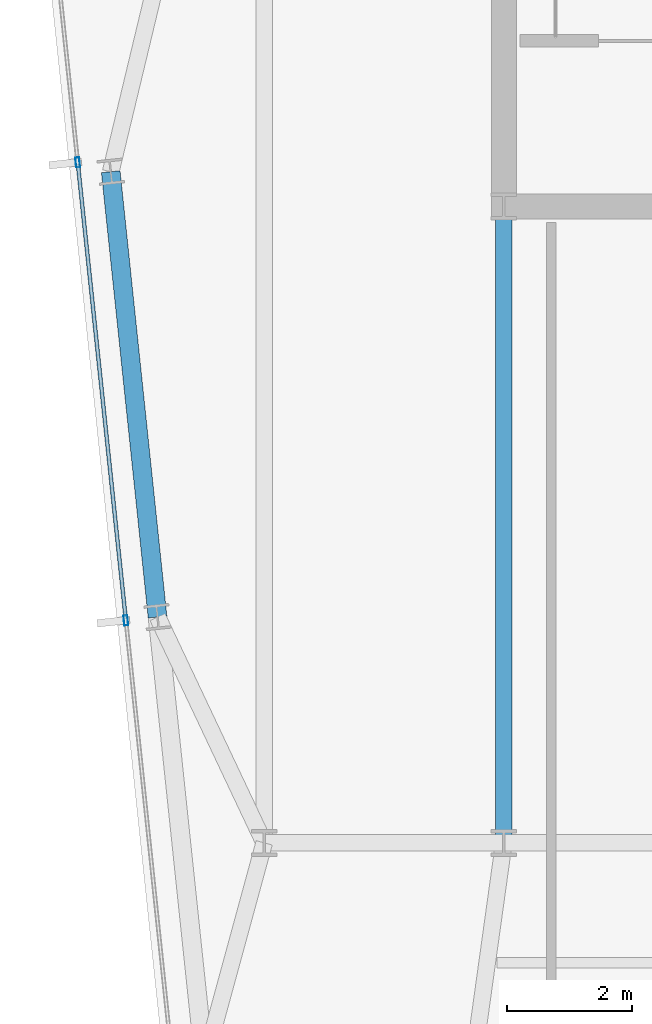
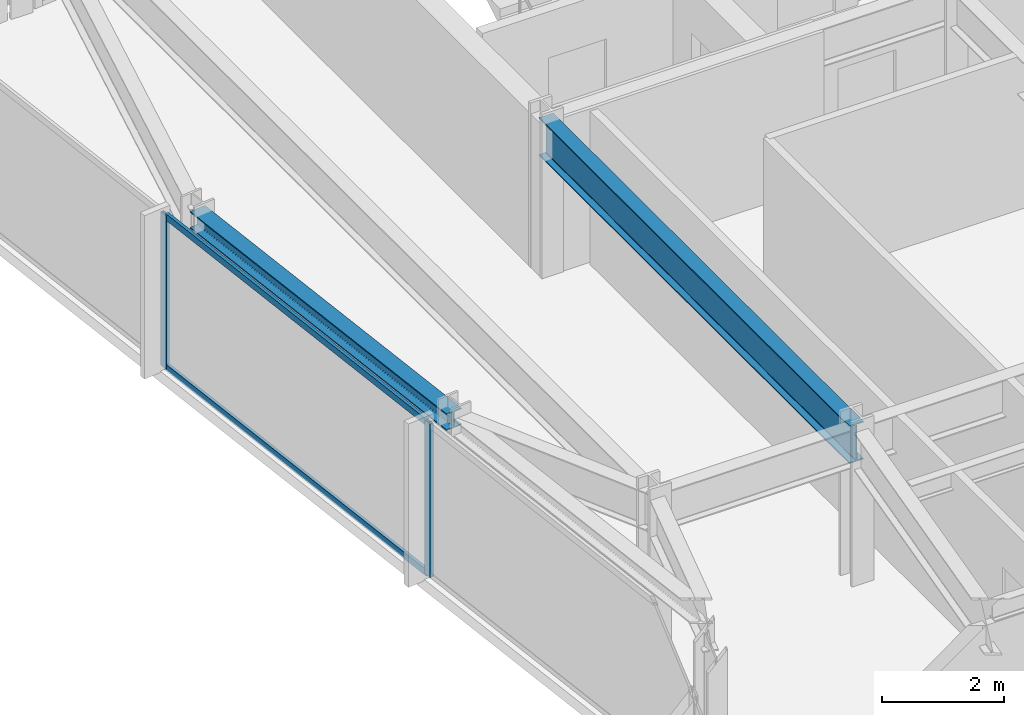
# One storey, part 10 of 32: 4 members, 2 beams, 1 element without a shape of its own.
"""IFC4 building model written with IfcOpenShell, lengths in metres."""

from ifc_helpers import new_model, si_unit, direction, frame, origin, origin_2d, place, context, subcontext, project, spatial, hollow_rectangle, i_section, extrude, material, material_profile, profile_set, type_object, element, aggregate, save


model = new_model("IFC4")

# Units and contexts
model_context = context("Model", 3, precision=1e-05, world=origin(), true_north=direction((0.0, 1.0)))
body_context = subcontext(model_context, "Body", "Model", "MODEL_VIEW")
ifc_project = project(units=[si_unit("LENGTHUNIT", "METRE"), si_unit("AREAUNIT", "SQUARE_METRE"), si_unit("VOLUMEUNIT", "CUBIC_METRE"), si_unit("PLANEANGLEUNIT", "RADIAN"), si_unit("MASSUNIT", "GRAM", prefix="KILO")], contexts=[model_context])

# Site, building, storey
site_placement = place(None, origin())
site = spatial("IfcSite", under=ifc_project, at=site_placement, CompositionType="ELEMENT")
building_placement = place(site_placement, origin())
building = spatial("IfcBuilding", under=site, at=building_placement, Name="Yelkora Congress Tower", CompositionType="ELEMENT")
storey_placement = place(building_placement, frame((0.0, 0.0, 214.39990234375)))
storey = spatial("IfcBuildingStorey", under=building, at=storey_placement, Name="L59", CompositionType="ELEMENT", Elevation=214.39990234375)

# Beams
ifc_material_1 = material(Name="Steel S355J2", Category="steel")
ifc_material_profile_1 = material_profile(ifc_material_1, i_section(OverallWidth=0.26708984375, OverallDepth=0.761962890625, WebThickness=0.014404296875, FlangeThickness=0.021484375, FilletRadius=0.01708984375, at=origin_2d()), Name="IPE 750x173")
ifc_profile_set_1 = profile_set([ifc_material_profile_1], Name="Steel S355J2")
beam_type_1 = type_object("IfcBeamType", Name="BM-GIRD-IPE750", PredefinedType="BEAM", material=ifc_profile_set_1)
beam_1_placement = place(storey_placement, frame((23.0400390625, 25.199951171875, 2.69921875), z_axis=(0.0, 1.0, 0.0), x_axis=(-1.0, 0.0, 0.0)))
element("IfcBeam", 1, at=beam_1_placement, inside=storey, type_object=beam_type_1, Name="L59 Core Tie Girder MC-D1", PredefinedType="BEAM", context=body_context, shape_type="SweptSolid", body=[
    extrude(i_section(OverallWidth=0.26708984375, OverallDepth=0.761962890625, WebThickness=0.014404296875, FlangeThickness=0.021484375, FilletRadius=0.01708984375, at=origin_2d()), origin(), (0.0, 0.0, 1.0), 10.199951171875),
])
ifc_material_profile_2 = material_profile(ifc_material_1, i_section(OverallWidth=0.300048828125, OverallDepth=0.340087890625, WebThickness=0.011962890625, FlangeThickness=0.021484375, FilletRadius=0.027099609375, at=origin_2d()), Name="HEB 340")
ifc_profile_set_2 = profile_set([ifc_material_profile_2], Name="Steel S355J2")
beam_type_2 = type_object("IfcBeamType", Name="BM-SPAN-HEB340", PredefinedType="SPANDREL", material=ifc_profile_set_2)
beam_2_placement = place(storey_placement, frame((16.7412109375, 35.95458984375, 2.91015625), z_axis=(0.104528914631, -0.994521847928, 0.0), x_axis=(0.994521847928, 0.104528914631, 0.0)))
element("IfcBeam", 2, at=beam_2_placement, inside=storey, type_object=beam_type_2, Name="L59 Perimeter Beam 17", PredefinedType="SPANDREL", context=body_context, shape_type="SweptSolid", body=[
    extrude(i_section(OverallWidth=0.300048828125, OverallDepth=0.340087890625, WebThickness=0.011962890625, FlangeThickness=0.021484375, FilletRadius=0.027099609375, at=origin_2d()), origin(), (0.0, 0.0, 1.0), 7.175048828125),
])

# Curtain wall, members
ifc_material_2 = material(Name="Anodised aluminium and insulated glass", Category="aluminium")
curtain_wall_type = type_object("IfcCurtainWallType", Name="CW-SYS-B4", PredefinedType="NOTDEFINED", material=ifc_material_2)
curtain_wall_placement = place(storey_placement, origin())
curtain_wall = element("IfcCurtainWall", 3, at=curtain_wall_placement, inside=storey, type_object=curtain_wall_type, Name="L59 Unitised Curtain Wall 5", PredefinedType="NOTDEFINED")
ifc_material_3 = material(Name="Anodised aluminium 6063-T6", Category="aluminium")
ifc_material_profile_3 = material_profile(ifc_material_3, hollow_rectangle(XDim=0.06494140625, YDim=0.159912109375, WallThickness=0.00390625, at=origin_2d()), Name="ALU 65x160x4")
ifc_profile_set_3 = profile_set([ifc_material_profile_3], Name="Anodised aluminium 6063-T6")
member_type_1 = type_object("IfcMemberType", Name="MEM-ML-B4", PredefinedType="MULLION", material=ifc_profile_set_3)
member_1_placement = place(storey_placement, frame((16.98388671875, 28.765625, 0.0), z_axis=(0.0, 0.0, 1.0), x_axis=(-0.994522145958, -0.104526079034, 0.0)))
member_1 = element("IfcMember", 4, at=member_1_placement, type_object=member_type_1, Name="CW-B4 mullion 3", PredefinedType="MULLION", context=body_context, shape_type="SweptSolid", body=[
    extrude(hollow_rectangle(XDim=0.06494140625, YDim=0.159912109375, WallThickness=0.00390625, at=origin_2d()), origin(), (0.0, 0.0, 1.0), 3.080078125),
])
member_2_placement = place(storey_placement, frame((16.21240234375, 36.105224609375, 0.0), z_axis=(0.0, 0.0, 1.0), x_axis=(-0.994522145958, -0.104526079034, 0.0)))
member_2 = element("IfcMember", 5, at=member_2_placement, type_object=member_type_1, Name="CW-B4 mullion 4", PredefinedType="MULLION", context=body_context, shape_type="SweptSolid", body=[
    extrude(hollow_rectangle(XDim=0.06494140625, YDim=0.159912109375, WallThickness=0.00390625, at=origin_2d()), origin(), (0.0, 0.0, 1.0), 3.080078125),
])
ifc_material_profile_4 = material_profile(ifc_material_3, hollow_rectangle(XDim=0.06005859375, YDim=0.1298828125, WallThickness=0.00390625, at=origin_2d()), Name="ALU 60x130x4")
ifc_profile_set_4 = profile_set([ifc_material_profile_4], Name="Anodised aluminium 6063-T6")
member_type_2 = type_object("IfcMemberType", Name="MEM-TR-B4", PredefinedType="USERDEFINED", material=ifc_profile_set_4)
member_3_placement = place(storey_placement, frame((16.98046875, 28.7978515625, 0.030029296875), z_axis=(-0.104531896307, 0.994521534535, 0.0), x_axis=(-0.994521534535, -0.104531896307, 0.0)))
member_3 = element("IfcMember", 6, at=member_3_placement, type_object=member_type_2, Name="CW-B4 transom 3.1", ObjectType="TRANSOM", PredefinedType="USERDEFINED", context=body_context, shape_type="SweptSolid", body=[
    extrude(hollow_rectangle(XDim=0.06005859375, YDim=0.1298828125, WallThickness=0.00390625, at=origin_2d()), origin(), (0.0, 0.0, 1.0), 7.31494140625),
])
member_4_placement = place(storey_placement, frame((16.98046875, 28.7978515625, 3.050048828125), z_axis=(-0.104531896307, 0.994521534535, 0.0), x_axis=(-0.994521534535, -0.104531896307, 0.0)))
member_4 = element("IfcMember", 7, at=member_4_placement, type_object=member_type_2, Name="CW-B4 transom 3.2", ObjectType="TRANSOM", PredefinedType="USERDEFINED", context=body_context, shape_type="SweptSolid", body=[
    extrude(hollow_rectangle(XDim=0.06005859375, YDim=0.1298828125, WallThickness=0.00390625, at=origin_2d()), origin(), (0.0, 0.0, 1.0), 7.31494140625),
])
aggregate(curtain_wall, [member_1, member_2, member_3, member_4])

save(model, "model.ifc")
